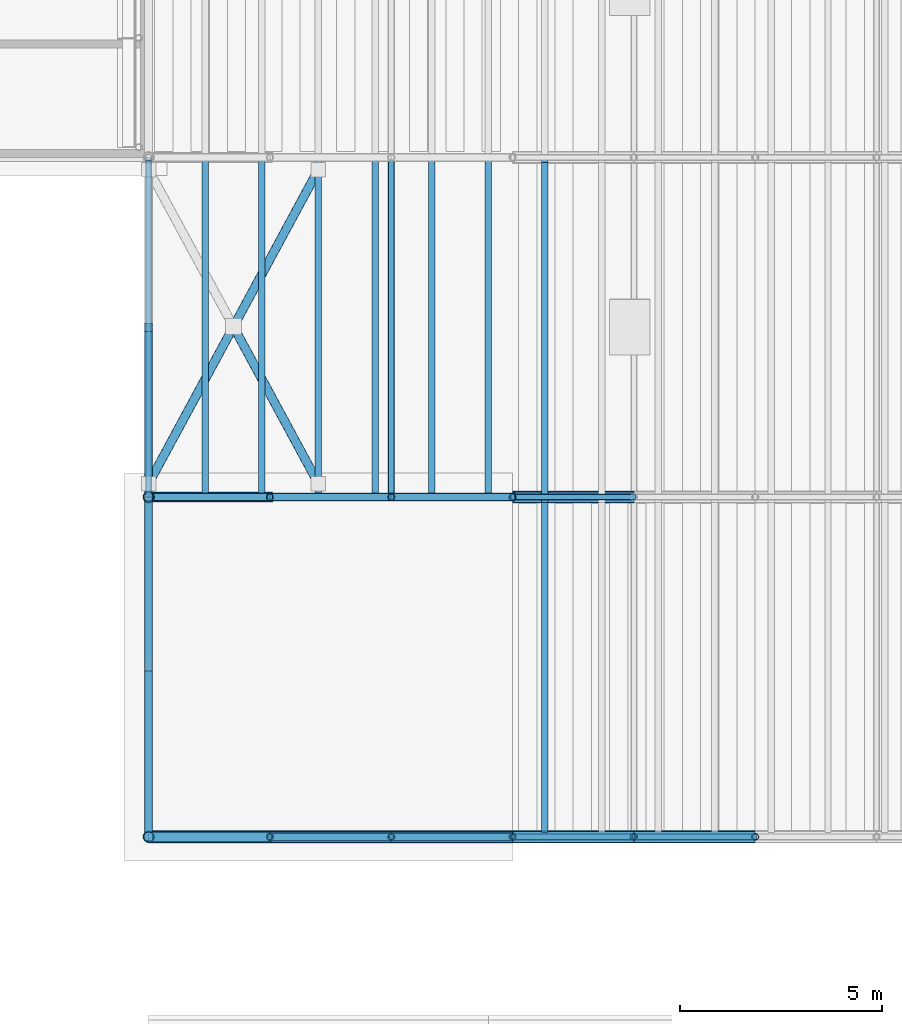
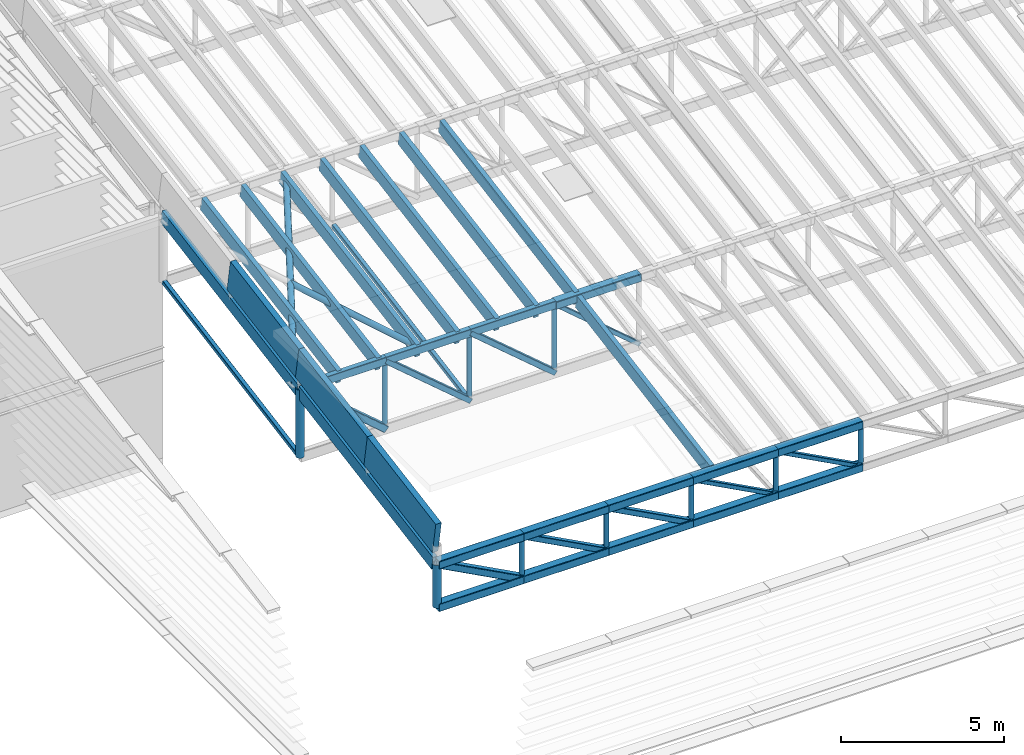
# One storey, part 2 of 91: 47 members, 3 beams.
"""IFC4 building model written with IfcOpenShell, lengths in metres."""

from ifc_helpers import new_model, si_unit, direction, frame, origin, origin_2d, place, context, subcontext, project, spatial, rectangle, hollow_rectangle, hollow_circle, extrude, material, material_profile, profile_set, type_object, element, save


model = new_model("IFC4")

# Units and contexts
model_context = context("Model", 3, precision=1e-05, world=origin(), true_north=direction((0.0, 1.0)))
body_context = subcontext(model_context, "Body", "Model", "MODEL_VIEW")
ifc_project = project(units=[si_unit("LENGTHUNIT", "METRE"), si_unit("AREAUNIT", "SQUARE_METRE"), si_unit("VOLUMEUNIT", "CUBIC_METRE"), si_unit("PLANEANGLEUNIT", "RADIAN"), si_unit("MASSUNIT", "GRAM", prefix="KILO")], contexts=[model_context])

# Site, building, storey
site_placement = place(None, origin())
site = spatial("IfcSite", under=ifc_project, at=site_placement, CompositionType="ELEMENT")
building_placement = place(site_placement, origin())
building = spatial("IfcBuilding", under=site, at=building_placement, Name="Almond Square Museum", CompositionType="ELEMENT")
storey_placement = place(building_placement, frame((0.0, 0.0, 30.0)))
storey = spatial("IfcBuildingStorey", under=building, at=storey_placement, Name="L05", CompositionType="ELEMENT", Elevation=30.0)

# Members
ifc_material_1 = material(Name="Glulam GL28h", Category="wood")
ifc_material_profile_1 = material_profile(ifc_material_1, rectangle(XDim=0.159912109375, YDim=0.5, at=origin_2d()))
ifc_profile_set_1 = profile_set([ifc_material_profile_1], Name="Glulam GL28h")
member_type_1 = type_object("IfcMemberType", Name="Glulam rafter GL28h 160x500", PredefinedType="RAFTER", material=ifc_profile_set_1)
member_1_placement = place(storey_placement, frame((106.800048828125, 50.550048828125, 6.1708984375), z_axis=(0.0, 0.985031337218, 0.172375359894), x_axis=(-1.0, 0.0, 0.0)))
element("IfcMember", 1, at=member_1_placement, inside=storey, type_object=member_type_1, Name="Hall rafter 1.1", PredefinedType="RAFTER", context=body_context, shape_type="SweptSolid", body=[
    extrude(rectangle(XDim=0.159912109375, YDim=0.5, at=origin_2d()), origin(), (0.0, 0.0, 1.0), 8.337890625),
])
member_2_placement = place(storey_placement, frame((116.60009765625, 50.550048828125, 6.1708984375), z_axis=(0.0, 0.985026965331, 0.172400340983), x_axis=(-1.0, 0.0, 0.0)))
element("IfcMember", 2, at=member_2_placement, inside=storey, type_object=member_type_1, Name="Hall rafter 1.8", PredefinedType="RAFTER", context=body_context, shape_type="SweptSolid", body=[
    extrude(rectangle(XDim=0.159912109375, YDim=0.5, at=origin_2d()), origin(), (0.0, 0.0, 1.0), 8.287109375),
])
for number, where, z_axis, x_axis, name in (
    (3, (106.800048828125, 58.830078125, 7.619873046875), (0.0, 0.985030957185, 0.172377531562), (-1.0, 0.0, 0.0), "Hall rafter 2.1"),
    (4, (108.199951171875, 58.830078125, 7.619873046875), (0.0, 0.985030957185, 0.172377531562), (-1.0, 0.0, 0.0), "Hall rafter 2.2"),
    (5, (109.60009765625, 58.830078125, 7.619873046875), (0.0, 0.985030957185, 0.172377531562), (-1.0, 0.0, 0.0), "Hall rafter 2.3"),
    (6, (111.0, 58.830078125, 7.619873046875), (0.0, 0.985030957185, 0.172377531562), (-1.0, 0.0, 0.0), "Hall rafter 2.4"),
    (7, (112.39990234375, 58.830078125, 7.619873046875), (0.0, 0.985030957185, 0.172377531562), (-1.0, 0.0, 0.0), "Hall rafter 2.5"),
    (8, (113.800048828125, 58.830078125, 7.619873046875), (0.0, 0.985030957185, 0.172377531562), (-1.0, 0.0, 0.0), "Hall rafter 2.6"),
    (9, (115.199951171875, 58.830078125, 7.619873046875), (0.0, 0.985030957185, 0.172377531562), (-1.0, 0.0, 0.0), "Hall rafter 2.7"),
):
    element("IfcMember", number, at=place(storey_placement, frame(where, z_axis=z_axis, x_axis=x_axis)), inside=storey, type_object=member_type_1, Name=name, PredefinedType="RAFTER", context=body_context, shape_type="SweptSolid", body=[
        extrude(rectangle(XDim=0.159912109375, YDim=0.5, at=origin_2d()), origin(), (0.0, 0.0, 1.0), 8.459716796875),
    ])
member_3_placement = place(storey_placement, frame((116.60009765625, 58.830078125, 7.619873046875), z_axis=(0.0, 0.985026646226, 0.172402164214), x_axis=(-1.0, 0.0, 0.0)))
element("IfcMember", 10, at=member_3_placement, inside=storey, type_object=member_type_1, Name="Hall rafter 2.8", PredefinedType="RAFTER", context=body_context, shape_type="SweptSolid", body=[
    extrude(rectangle(XDim=0.159912109375, YDim=0.5, at=origin_2d()), origin(), (0.0, 0.0, 1.0), 8.408935546875),
])

# Beams
ifc_material_2 = material(Name="Glulam GL28h", Category="wood")
ifc_material_profile_2 = material_profile(ifc_material_2, rectangle(XDim=0.199951171875, YDim=1.199951171875, at=origin_2d()))
ifc_profile_set_2 = profile_set([ifc_material_profile_2], Name="Glulam GL28h")
beam_type = type_object("IfcBeamType", Name="Rake fascia beam GL28h 200x1200", PredefinedType="BEAM", material=ifc_profile_set_2)
beam_1_placement = place(storey_placement, frame((106.800048828125, 50.39990234375, 7.199951171875), z_axis=(0.0, 0.98502755041, 0.17239699804), x_axis=(-1.0, 0.0, 0.0)))
element("IfcBeam", 11, at=beam_1_placement, inside=storey, type_object=beam_type, Name="Gable rake fascia W 1", PredefinedType="BEAM", context=body_context, shape_type="SweptSolid", body=[
    extrude(rectangle(XDim=0.199951171875, YDim=1.199951171875, at=origin_2d()), origin(), (0.0, 0.0, 1.0), 4.26416015625),
])
beam_2_placement = place(storey_placement, frame((106.800048828125, 54.60009765625, 7.93505859375), z_axis=(0.0, 0.98503557112, 0.172351163697), x_axis=(-1.0, 0.0, 0.0)))
element("IfcBeam", 12, at=beam_2_placement, inside=storey, type_object=beam_type, Name="Gable rake fascia W 2", PredefinedType="BEAM", context=body_context, shape_type="SweptSolid", body=[
    extrude(rectangle(XDim=0.199951171875, YDim=1.199951171875, at=origin_2d()), origin(), (0.0, 0.0, 1.0), 4.263671875),
])
beam_3_placement = place(storey_placement, frame((106.800048828125, 58.800048828125, 8.669921875), z_axis=(0.0, 0.985025848584, 0.172406721507), x_axis=(-1.0, 0.0, 0.0)))
element("IfcBeam", 13, at=beam_3_placement, inside=storey, type_object=beam_type, Name="Gable rake fascia W 3", PredefinedType="BEAM", context=body_context, shape_type="SweptSolid", body=[
    extrude(rectangle(XDim=0.199951171875, YDim=1.199951171875, at=origin_2d()), origin(), (0.0, 0.0, 1.0), 4.263916015625),
])

# Members
ifc_material_3 = material(Name="Structural steel S355", Category="steel")
ifc_material_profile_3 = material_profile(ifc_material_3, hollow_circle(Radius=0.109619140625, WallThickness=0.010009765625, at=origin_2d()))
ifc_profile_set_3 = profile_set([ifc_material_profile_3], Name="Structural steel S355")
member_type_2 = type_object("IfcMemberType", Name="Roof brace CHS 219.1x10", PredefinedType="BRACE", material=ifc_profile_set_3)
member_4_placement = place(storey_placement, frame((106.800048828125, 59.1298828125, 7.67236328125), z_axis=(0.469974280677, 0.869464712946, 0.15216861846), x_axis=(-0.879709326121, 0.475511831121, 0.0)))
element("IfcMember", 14, at=member_4_placement, inside=storey, type_object=member_type_2, Name="Hall roof plane brace 2", PredefinedType="BRACE", context=body_context, shape_type="SweptSolid", body=[
    extrude(hollow_circle(Radius=0.109619140625, WallThickness=0.010009765625, at=origin_2d()), origin(), (0.0, 0.0, 1.0), 8.9365234375),
])
member_5_placement = place(storey_placement, frame((111.0, 59.1298828125, 7.67236328125), z_axis=(-0.46999556541, 0.86945354945, 0.15216666469), x_axis=(-0.879697763355, -0.475533221918, 0.0)))
element("IfcMember", 15, at=member_5_placement, inside=storey, type_object=member_type_2, Name="Hall roof plane brace 2", PredefinedType="BRACE", context=body_context, shape_type="SweptSolid", body=[
    extrude(hollow_circle(Radius=0.109619140625, WallThickness=0.010009765625, at=origin_2d()), origin(), (0.0, 0.0, 1.0), 4.46826171875),
])
ifc_material_4 = material(Name="Structural steel S355", Category="steel")
ifc_material_profile_4 = material_profile(ifc_material_4, hollow_rectangle(XDim=0.199951171875, YDim=0.300048828125, WallThickness=0.010009765625, InnerFilletRadius=0.014892578125, OuterFilletRadius=0.02490234375, at=origin_2d()))
ifc_profile_set_4 = profile_set([ifc_material_profile_4], Name="Structural steel S355")
member_type_3 = type_object("IfcMemberType", Name="Truss chord RHS 300x200x10", PredefinedType="CHORD", material=ifc_profile_set_4)
for number, where, z_axis, x_axis, name in (
    (16, (106.800048828125, 58.800048828125, 7.718505859375), (1.0, 0.0, 0.0), (0.0, 1.0, 0.0), "TR-02 top chord 1"),
    (17, (109.800048828125, 58.800048828125, 7.718505859375), (1.0, 0.0, 0.0), (0.0, 1.0, 0.0), "TR-02 top chord 2"),
    (18, (112.800048828125, 58.800048828125, 7.718505859375), (1.0, 0.0, 0.0), (0.0, 1.0, 0.0), "TR-02 top chord 3"),
):
    element("IfcMember", number, at=place(storey_placement, frame(where, z_axis=z_axis, x_axis=x_axis)), inside=storey, type_object=member_type_3, Name=name, PredefinedType="CHORD", context=body_context, shape_type="SweptSolid", body=[
        extrude(hollow_rectangle(XDim=0.199951171875, YDim=0.300048828125, WallThickness=0.010009765625, InnerFilletRadius=0.014892578125, OuterFilletRadius=0.02490234375, at=origin_2d()), origin(), (0.0, 0.0, 1.0), 3.0),
    ])
ifc_material_5 = material(Name="Structural steel S355", Category="steel")
ifc_material_profile_5 = material_profile(ifc_material_5, hollow_rectangle(XDim=0.300048828125, YDim=0.300048828125, WallThickness=0.012451171875, InnerFilletRadius=0.02490234375, OuterFilletRadius=0.03759765625, at=origin_2d()))
ifc_profile_set_5 = profile_set([ifc_material_profile_5], Name="Structural steel S355")
member_type_4 = type_object("IfcMemberType", Name="Truss chord SHS 300x300x12.5", PredefinedType="CHORD", material=ifc_profile_set_5)
for number, where, z_axis, x_axis, name in (
    (19, (106.800048828125, 50.39990234375, 6.24853515625), (1.0, 0.0, 0.0), (0.0, 1.0, 0.0), "TR-01 top chord 1"),
    (20, (106.800048828125, 50.39990234375, 4.64990234375), (1.0, 0.0, 0.0), (0.0, 1.0, 0.0), "TR-01 bottom chord 1"),
    (21, (109.800048828125, 50.39990234375, 6.24853515625), (1.0, 0.0, 0.0), (0.0, 1.0, 0.0), "TR-01 top chord 2"),
    (22, (109.800048828125, 50.39990234375, 4.64990234375), (1.0, 0.0, 0.0), (0.0, 1.0, 0.0), "TR-01 bottom chord 2"),
    (23, (112.800048828125, 50.39990234375, 6.24853515625), (1.0, 0.0, 0.0), (0.0, 1.0, 0.0), "TR-01 top chord 3"),
    (24, (112.800048828125, 50.39990234375, 4.64990234375), (1.0, 0.0, 0.0), (0.0, 1.0, 0.0), "TR-01 bottom chord 3"),
    (25, (115.800048828125, 50.39990234375, 6.24853515625), (1.0, 0.0, 0.0), (0.0, 1.0, 0.0), "TR-01 top chord 4"),
    (26, (115.800048828125, 50.39990234375, 4.64990234375), (1.0, 0.0, 0.0), (0.0, 1.0, 0.0), "TR-01 bottom chord 4"),
    (27, (118.800048828125, 50.39990234375, 6.24853515625), (1.0, 0.0, 0.0), (0.0, 1.0, 0.0), "TR-01 top chord 5"),
    (28, (118.800048828125, 50.39990234375, 4.64990234375), (1.0, 0.0, 0.0), (0.0, 1.0, 0.0), "TR-01 bottom chord 5"),
    (29, (115.800048828125, 58.800048828125, 7.718505859375), (1.0, 0.0, 0.0), (0.0, 1.0, 0.0), "TR-02 top chord 4"),
):
    element("IfcMember", number, at=place(storey_placement, frame(where, z_axis=z_axis, x_axis=x_axis)), inside=storey, type_object=member_type_4, Name=name, PredefinedType="CHORD", context=body_context, shape_type="SweptSolid", body=[
        extrude(hollow_rectangle(XDim=0.300048828125, YDim=0.300048828125, WallThickness=0.012451171875, InnerFilletRadius=0.02490234375, OuterFilletRadius=0.03759765625, at=origin_2d()), origin(), (0.0, 0.0, 1.0), 3.0),
    ])
ifc_material_6 = material(Name="Structural steel S355", Category="steel")
ifc_material_profile_6 = material_profile(ifc_material_6, hollow_rectangle(XDim=0.14990234375, YDim=0.14990234375, WallThickness=0.008056640625, InnerFilletRadius=0.011962890625, OuterFilletRadius=0.02001953125, at=origin_2d()))
ifc_profile_set_6 = profile_set([ifc_material_profile_6], Name="Structural steel S355")
member_type_5 = type_object("IfcMemberType", Name="Truss diagonal SHS 150x150x8", PredefinedType="BRACE", material=ifc_profile_set_6)
for number, where, z_axis, x_axis, name in (
    (30, (115.800048828125, 50.39990234375, 6.24853515625), (0.882519884946, 0.0, -0.47027508192), (0.0, 1.0, 0.0), "TR-01 diagonal 4"),
    (31, (118.800048828125, 50.39990234375, 6.24853515625), (0.882519884946, 0.0, -0.47027508192), (0.0, 1.0, 0.0), "TR-01 diagonal 5"),
):
    element("IfcMember", number, at=place(storey_placement, frame(where, z_axis=z_axis, x_axis=x_axis)), inside=storey, type_object=member_type_5, Name=name, PredefinedType="BRACE", context=body_context, shape_type="SweptSolid", body=[
        extrude(hollow_rectangle(XDim=0.14990234375, YDim=0.14990234375, WallThickness=0.008056640625, InnerFilletRadius=0.011962890625, OuterFilletRadius=0.02001953125, at=origin_2d()), origin(), (0.0, 0.0, 1.0), 3.3994140625),
    ])
member_6_placement = place(storey_placement, frame((115.800048828125, 58.800048828125, 7.718505859375), z_axis=(0.762116801264, 0.0, -0.647439557975), x_axis=(0.0, 1.0, 0.0)))
element("IfcMember", 32, at=member_6_placement, inside=storey, type_object=member_type_5, Name="TR-02 diagonal 4", PredefinedType="BRACE", context=body_context, shape_type="SweptSolid", body=[
    extrude(hollow_rectangle(XDim=0.14990234375, YDim=0.14990234375, WallThickness=0.008056640625, InnerFilletRadius=0.011962890625, OuterFilletRadius=0.02001953125, at=origin_2d()), origin(), (0.0, 0.0, 1.0), 3.9365234375),
])
ifc_material_7 = material(Name="Structural steel S355", Category="steel")
ifc_material_profile_7 = material_profile(ifc_material_7, hollow_rectangle(XDim=0.199951171875, YDim=0.199951171875, WallThickness=0.010009765625, InnerFilletRadius=0.014892578125, OuterFilletRadius=0.02490234375, at=origin_2d()))
ifc_profile_set_7 = profile_set([ifc_material_profile_7], Name="Structural steel S355")
member_type_6 = type_object("IfcMemberType", Name="Truss diagonal SHS 200x200x10", PredefinedType="BRACE", material=ifc_profile_set_7)
for number, where, z_axis, x_axis, name in (
    (33, (109.800048828125, 50.39990234375, 6.24853515625), (0.882519884946, 0.0, -0.47027508192), (0.0, 1.0, 0.0), "TR-01 diagonal 2"),
    (34, (112.800048828125, 50.39990234375, 6.24853515625), (0.882519884946, 0.0, -0.47027508192), (0.0, 1.0, 0.0), "TR-01 diagonal 3"),
):
    element("IfcMember", number, at=place(storey_placement, frame(where, z_axis=z_axis, x_axis=x_axis)), inside=storey, type_object=member_type_6, Name=name, PredefinedType="BRACE", context=body_context, shape_type="SweptSolid", body=[
        extrude(hollow_rectangle(XDim=0.199951171875, YDim=0.199951171875, WallThickness=0.010009765625, InnerFilletRadius=0.014892578125, OuterFilletRadius=0.02490234375, at=origin_2d()), origin(), (0.0, 0.0, 1.0), 3.3994140625),
    ])
for number, where, z_axis, x_axis, name in (
    (35, (109.800048828125, 58.800048828125, 7.718505859375), (0.762116801264, 0.0, -0.647439557975), (0.0, 1.0, 0.0), "TR-02 diagonal 2"),
    (36, (112.800048828125, 58.800048828125, 7.718505859375), (0.762116801264, 0.0, -0.647439557975), (0.0, 1.0, 0.0), "TR-02 diagonal 3"),
):
    element("IfcMember", number, at=place(storey_placement, frame(where, z_axis=z_axis, x_axis=x_axis)), inside=storey, type_object=member_type_6, Name=name, PredefinedType="BRACE", context=body_context, shape_type="SweptSolid", body=[
        extrude(hollow_rectangle(XDim=0.199951171875, YDim=0.199951171875, WallThickness=0.010009765625, InnerFilletRadius=0.014892578125, OuterFilletRadius=0.02490234375, at=origin_2d()), origin(), (0.0, 0.0, 1.0), 3.9365234375),
    ])
ifc_material_8 = material(Name="Structural steel S355", Category="steel")
ifc_material_profile_8 = material_profile(ifc_material_8, hollow_rectangle(XDim=0.25, YDim=0.25, WallThickness=0.012451171875, InnerFilletRadius=0.02490234375, OuterFilletRadius=0.03759765625, at=origin_2d()))
ifc_profile_set_8 = profile_set([ifc_material_profile_8], Name="Structural steel S355")
member_type_7 = type_object("IfcMemberType", Name="Truss diagonal SHS 250x250x12.5", PredefinedType="BRACE", material=ifc_profile_set_8)
member_7_placement = place(storey_placement, frame((106.800048828125, 50.39990234375, 6.24853515625), z_axis=(0.882519884946, 0.0, -0.47027508192), x_axis=(0.0, 1.0, 0.0)))
element("IfcMember", 37, at=member_7_placement, inside=storey, type_object=member_type_7, Name="TR-01 diagonal 1", PredefinedType="BRACE", context=body_context, shape_type="SweptSolid", body=[
    extrude(hollow_rectangle(XDim=0.25, YDim=0.25, WallThickness=0.012451171875, InnerFilletRadius=0.02490234375, OuterFilletRadius=0.03759765625, at=origin_2d()), origin(), (0.0, 0.0, 1.0), 3.3994140625),
])
member_8_placement = place(storey_placement, frame((106.800048828125, 58.800048828125, 7.718505859375), z_axis=(0.762116801264, 0.0, -0.647439557975), x_axis=(0.0, 1.0, 0.0)))
element("IfcMember", 38, at=member_8_placement, inside=storey, type_object=member_type_7, Name="TR-02 diagonal 1", PredefinedType="BRACE", context=body_context, shape_type="SweptSolid", body=[
    extrude(hollow_rectangle(XDim=0.25, YDim=0.25, WallThickness=0.012451171875, InnerFilletRadius=0.02490234375, OuterFilletRadius=0.03759765625, at=origin_2d()), origin(), (0.0, 0.0, 1.0), 3.9365234375),
])
ifc_material_9 = material(Name="Structural steel S355", Category="steel")
ifc_material_profile_9 = material_profile(ifc_material_9, hollow_circle(Radius=0.084228515625, WallThickness=0.008056640625, at=origin_2d()))
ifc_profile_set_9 = profile_set([ifc_material_profile_9], Name="Structural steel S355")
member_type_8 = type_object("IfcMemberType", Name="Truss post CHS 168.3x8", PredefinedType="POST", material=ifc_profile_set_9)
for number, where, z_axis, x_axis, name in (
    (39, (109.800048828125, 50.39990234375, 4.64990234375), (0.0, 0.0, 1.0), (1.0, 0.0, 0.0), "TR-01 post 2"),
    (40, (112.800048828125, 50.39990234375, 4.64990234375), (0.0, 0.0, 1.0), (1.0, 0.0, 0.0), "TR-01 post 3"),
    (41, (115.800048828125, 50.39990234375, 4.64990234375), (0.0, 0.0, 1.0), (1.0, 0.0, 0.0), "TR-01 post 4"),
    (42, (118.800048828125, 50.39990234375, 4.64990234375), (0.0, 0.0, 1.0), (1.0, 0.0, 0.0), "TR-01 post 5"),
    (43, (121.800048828125, 50.39990234375, 4.64990234375), (0.0, 0.0, 1.0), (1.0, 0.0, 0.0), "TR-01 post 6"),
):
    element("IfcMember", number, at=place(storey_placement, frame(where, z_axis=z_axis, x_axis=x_axis)), inside=storey, type_object=member_type_8, Name=name, PredefinedType="POST", context=body_context, shape_type="SweptSolid", body=[
        extrude(hollow_circle(Radius=0.084228515625, WallThickness=0.008056640625, at=origin_2d()), origin(), (0.0, 0.0, 1.0), 1.5986328125),
    ])
for number, where, z_axis, x_axis, name in (
    (44, (109.800048828125, 58.800048828125, 5.169921875), (0.0, 0.0, 1.0), (1.0, 0.0, 0.0), "TR-02 post 2"),
    (45, (112.800048828125, 58.800048828125, 5.169921875), (0.0, 0.0, 1.0), (1.0, 0.0, 0.0), "TR-02 post 3"),
    (46, (115.800048828125, 58.800048828125, 5.169921875), (0.0, 0.0, 1.0), (1.0, 0.0, 0.0), "TR-02 post 4"),
):
    element("IfcMember", number, at=place(storey_placement, frame(where, z_axis=z_axis, x_axis=x_axis)), inside=storey, type_object=member_type_8, Name=name, PredefinedType="POST", context=body_context, shape_type="SweptSolid", body=[
        extrude(hollow_circle(Radius=0.084228515625, WallThickness=0.008056640625, at=origin_2d()), origin(), (0.0, 0.0, 1.0), 2.548583984375),
    ])
ifc_material_10 = material(Name="Structural steel S355", Category="steel")
ifc_material_profile_10 = material_profile(ifc_material_10, hollow_circle(Radius=0.136474609375, WallThickness=0.012451171875, at=origin_2d()))
ifc_profile_set_10 = profile_set([ifc_material_profile_10], Name="Structural steel S355")
member_type_9 = type_object("IfcMemberType", Name="Truss post CHS 273x12.5", PredefinedType="POST", material=ifc_profile_set_10)
member_9_placement = place(storey_placement, frame((106.800048828125, 50.39990234375, 4.64990234375), z_axis=(0.0, 0.0, 1.0), x_axis=(1.0, 0.0, 0.0)))
element("IfcMember", 47, at=member_9_placement, inside=storey, type_object=member_type_9, Name="TR-01 post 1", PredefinedType="POST", context=body_context, shape_type="SweptSolid", body=[
    extrude(hollow_circle(Radius=0.136474609375, WallThickness=0.012451171875, at=origin_2d()), origin(), (0.0, 0.0, 1.0), 1.5986328125),
])
member_10_placement = place(storey_placement, frame((106.800048828125, 58.800048828125, 5.169921875), z_axis=(0.0, 0.0, 1.0), x_axis=(1.0, 0.0, 0.0)))
element("IfcMember", 48, at=member_10_placement, inside=storey, type_object=member_type_9, Name="TR-02 post 1", PredefinedType="POST", context=body_context, shape_type="SweptSolid", body=[
    extrude(hollow_circle(Radius=0.136474609375, WallThickness=0.012451171875, at=origin_2d()), origin(), (0.0, 0.0, 1.0), 2.548583984375),
])
ifc_material_11 = material(Name="Structural steel S355", Category="steel")
ifc_material_profile_11 = material_profile(ifc_material_11, hollow_rectangle(XDim=0.14990234375, YDim=0.14990234375, WallThickness=0.008056640625, InnerFilletRadius=0.011962890625, OuterFilletRadius=0.02001953125, at=origin_2d()))
ifc_profile_set_11 = profile_set([ifc_material_profile_11], Name="Structural steel S355")
member_type_10 = type_object("IfcMemberType", Name="Truss tie SHS 150x150x8", PredefinedType="MEMBER", material=ifc_profile_set_11)
for number, where, z_axis, x_axis, name in (
    (49, (106.800048828125, 58.875, 5.169921875), (0.0, 0.984494486924, 0.175415521596), (-1.0, 0.0, 0.0), "Hall bay 2 tie 1"),
    (50, (112.800048828125, 58.875, 5.169921875), (0.0, 0.984494486924, 0.175415521596), (-1.0, 0.0, 0.0), "Hall bay 2 tie 2"),
):
    element("IfcMember", number, at=place(storey_placement, frame(where, z_axis=z_axis, x_axis=x_axis)), inside=storey, type_object=member_type_10, Name=name, PredefinedType="MEMBER", context=body_context, shape_type="SweptSolid", body=[
        extrude(hollow_rectangle(XDim=0.14990234375, YDim=0.14990234375, WallThickness=0.008056640625, InnerFilletRadius=0.011962890625, OuterFilletRadius=0.02001953125, at=origin_2d()), origin(), (0.0, 0.0, 1.0), 8.3798828125),
    ])

save(model, "model.ifc")
